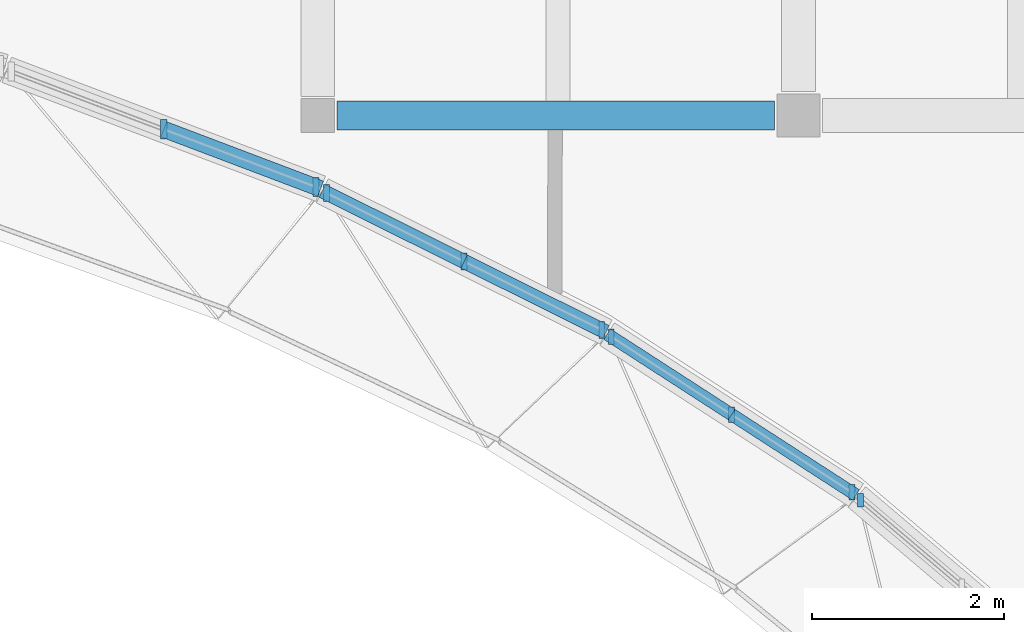
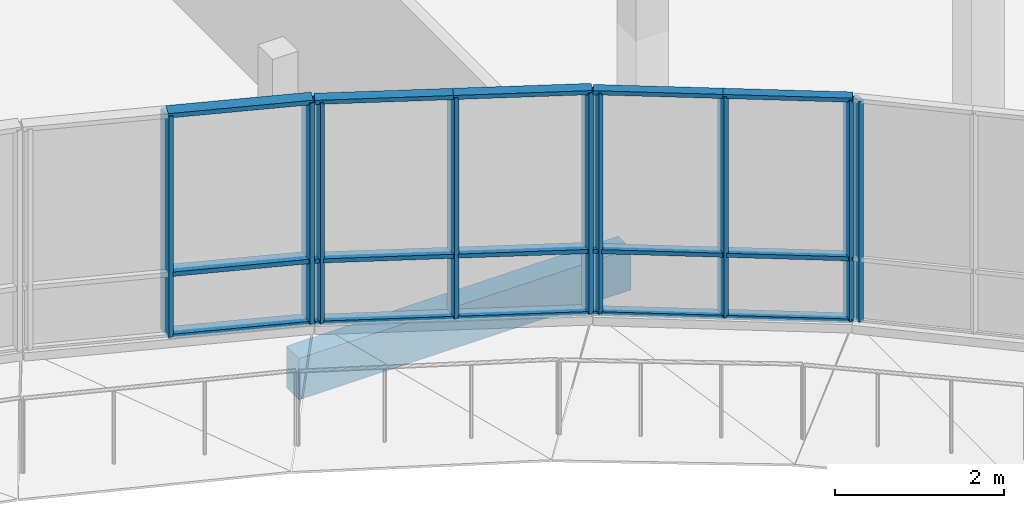
# One storey, part 24 of 73: 24 members, 1 beam, 4 elements without a shape of their own.
"""IFC4 building model written with IfcOpenShell, lengths in metres."""

from ifc_helpers import new_model, si_unit, direction, frame, origin, origin_2d, place, context, subcontext, project, spatial, rectangle, extrude, material, material_profile, profile_set, type_object, element, aggregate, save


model = new_model("IFC4")

# Units and contexts
model_context = context("Model", 3, precision=1e-05, world=origin(), true_north=direction((0.0, 1.0)))
body_context = subcontext(model_context, "Body", "Model", "MODEL_VIEW")
ifc_project = project(units=[si_unit("LENGTHUNIT", "METRE"), si_unit("AREAUNIT", "SQUARE_METRE"), si_unit("VOLUMEUNIT", "CUBIC_METRE"), si_unit("PLANEANGLEUNIT", "RADIAN"), si_unit("MASSUNIT", "GRAM", prefix="KILO")], contexts=[model_context])

# Site, building, storey
site_placement = place(None, origin())
site = spatial("IfcSite", under=ifc_project, at=site_placement, CompositionType="ELEMENT")
building_placement = place(site_placement, origin())
building = spatial("IfcBuilding", under=site, at=building_placement, Name="Mzevani Central Library", CompositionType="ELEMENT")
storey_placement = place(building_placement, frame((0.0, 0.0, 9.60009765625)))
storey = spatial("IfcBuildingStorey", under=building, at=storey_placement, Name="L02", CompositionType="ELEMENT", Elevation=9.60009765625)

# Beam
ifc_material_1 = material(Name="Concrete C35/45", Category="concrete")
ifc_material_profile_1 = material_profile(ifc_material_1, rectangle(XDim=0.300048828125, YDim=0.60009765625, at=origin_2d()), Name="RC B300x600")
ifc_profile_set_1 = profile_set([ifc_material_profile_1], Name="Concrete C35/45")
beam_type = type_object("IfcBeamType", Name="Beam RC 300x600", PredefinedType="BEAM", material=ifc_profile_set_1)
beam_placement = place(storey_placement, frame((102.60009765625, 90.39990234375, -0.580078125), z_axis=(1.0, 0.0, 0.0), x_axis=(0.0, 1.0, 0.0)))
element("IfcBeam", 1, at=beam_placement, inside=storey, type_object=beam_type, Name="L02 V3 Girder B-03 (562)", PredefinedType="BEAM", context=body_context, shape_type="SweptSolid", body=[
    extrude(rectangle(XDim=0.300048828125, YDim=0.60009765625, at=origin_2d()), origin(), (0.0, 0.0, 1.0), 4.5498046875),
])

# Curtain wall, member
ifc_material_2 = material(Name="Thermally broken aluminium and Low-E triple glazing", Category="aluminium")
curtain_wall_type_1 = type_object("IfcCurtainWallType", Name="Elliptical Court Unitised Curtain Wall", PredefinedType="NOTDEFINED", material=ifc_material_2)
curtain_wall_1_placement = place(storey_placement, origin())
curtain_wall_1 = element("IfcCurtainWall", 2, at=curtain_wall_1_placement, inside=storey, type_object=curtain_wall_type_1, Name="L02 Elliptical Court Curtain Wall 5", PredefinedType="NOTDEFINED")
ifc_material_3 = material(Name="Thermally broken aluminium AW-6060", Category="aluminium")
ifc_material_profile_2 = material_profile(ifc_material_3, rectangle(XDim=0.06005859375, YDim=0.139892578125, at=origin_2d()), Name="ALU M60x140")
ifc_profile_set_2 = profile_set([ifc_material_profile_2], Name="Thermally broken aluminium AW-6060")
member_type_1 = type_object("IfcMemberType", Name="CW Mullion 60x140", PredefinedType="MULLION", material=ifc_profile_set_2)
member_1_placement = place(storey_placement, frame((108.04443359375, 86.402099609375, 0.719970703125), z_axis=(0.0, 0.0, 1.0), x_axis=(1.0, 0.0, 0.0)))
member_1 = element("IfcMember", 3, at=member_1_placement, type_object=member_type_1, Name="L02 Elliptical Court Curtain Wall 5 Mullion 3", PredefinedType="MULLION", context=body_context, shape_type="SweptSolid", body=[
    extrude(rectangle(XDim=0.06005859375, YDim=0.139892578125, at=origin_2d()), origin(), (0.0, 0.0, 1.0), 3.199951171875),
])
aggregate(curtain_wall_1, [member_1])

# Curtain wall, members
curtain_wall_2_placement = place(storey_placement, origin())
curtain_wall_2 = element("IfcCurtainWall", 4, at=curtain_wall_2_placement, inside=storey, type_object=curtain_wall_type_1, Name="L02 Elliptical Court Curtain Wall 6", PredefinedType="NOTDEFINED")
ifc_material_profile_3 = material_profile(ifc_material_3, rectangle(XDim=0.06005859375, YDim=0.159912109375, at=origin_2d()), Name="ALU M60x160")
ifc_profile_set_3 = profile_set([ifc_material_profile_3], Name="Thermally broken aluminium AW-6060")
member_type_2 = type_object("IfcMemberType", Name="CW Mullion 60x160", PredefinedType="MULLION", material=ifc_profile_set_3)
member_2_placement = place(storey_placement, frame((107.95556640625, 86.4814453125, 0.719970703125), z_axis=(0.0, 0.0, 1.0), x_axis=(1.0, 0.0, 0.0)))
member_2 = element("IfcMember", 5, at=member_2_placement, type_object=member_type_2, Name="L02 Elliptical Court Curtain Wall 6 Mullion 1", PredefinedType="MULLION", context=body_context, shape_type="SweptSolid", body=[
    extrude(rectangle(XDim=0.06005859375, YDim=0.159912109375, at=origin_2d()), origin(), (0.0, 0.0, 1.0), 3.199951171875),
])
member_3_placement = place(storey_placement, frame((106.703857421875, 87.291015625, 0.719970703125), z_axis=(0.0, 0.0, 1.0), x_axis=(1.0, 0.0, 0.0)))
member_3 = element("IfcMember", 6, at=member_3_placement, type_object=member_type_2, Name="L02 Elliptical Court Curtain Wall 6 Mullion 2", PredefinedType="MULLION", context=body_context, shape_type="SweptSolid", body=[
    extrude(rectangle(XDim=0.06005859375, YDim=0.159912109375, at=origin_2d()), origin(), (0.0, 0.0, 1.0), 3.199951171875),
])
member_4_placement = place(storey_placement, frame((105.4521484375, 88.100341796875, 0.719970703125), z_axis=(0.0, 0.0, 1.0), x_axis=(1.0, 0.0, 0.0)))
member_4 = element("IfcMember", 7, at=member_4_placement, type_object=member_type_2, Name="L02 Elliptical Court Curtain Wall 6 Mullion 3", PredefinedType="MULLION", context=body_context, shape_type="SweptSolid", body=[
    extrude(rectangle(XDim=0.06005859375, YDim=0.159912109375, at=origin_2d()), origin(), (0.0, 0.0, 1.0), 3.199951171875),
])

curtain_wall_type_2 = type_object("IfcCurtainWallType", Name="Reading Hall Northlight Curtain Wall", PredefinedType="NOTDEFINED", material=ifc_material_2)
curtain_wall_3_placement = place(storey_placement, origin())
curtain_wall_3 = element("IfcCurtainWall", 8, at=curtain_wall_3_placement, inside=storey, type_object=curtain_wall_type_2, Name="L02 Elliptical Court Curtain Wall 7", PredefinedType="NOTDEFINED")
ifc_material_profile_4 = material_profile(ifc_material_3, rectangle(XDim=0.06005859375, YDim=0.179931640625, at=origin_2d()), Name="ALU M60x180")
ifc_profile_set_4 = profile_set([ifc_material_profile_4], Name="Thermally broken aluminium AW-6060")
member_type_3 = type_object("IfcMemberType", Name="CW Mullion 60x180", PredefinedType="MULLION", material=ifc_profile_set_4)
member_5_placement = place(storey_placement, frame((105.35302734375, 88.171142578125, 0.719970703125), z_axis=(0.0, 0.0, 1.0), x_axis=(1.0, 0.0, 0.0)))
member_5 = element("IfcMember", 9, at=member_5_placement, type_object=member_type_3, Name="L02 Elliptical Court Curtain Wall 7 Mullion 1", PredefinedType="MULLION", context=body_context, shape_type="SweptSolid", body=[
    extrude(rectangle(XDim=0.06005859375, YDim=0.179931640625, at=origin_2d()), origin(), (0.0, 0.0, 1.0), 3.199951171875),
])
member_6_placement = place(storey_placement, frame((103.9228515625, 88.882568359375, 0.719970703125), z_axis=(0.0, 0.0, 1.0), x_axis=(1.0, 0.0, 0.0)))
member_6 = element("IfcMember", 10, at=member_6_placement, type_object=member_type_3, Name="L02 Elliptical Court Curtain Wall 7 Mullion 2", PredefinedType="MULLION", context=body_context, shape_type="SweptSolid", body=[
    extrude(rectangle(XDim=0.06005859375, YDim=0.179931640625, at=origin_2d()), origin(), (0.0, 0.0, 1.0), 3.199951171875),
])
member_7_placement = place(storey_placement, frame((102.492431640625, 89.593994140625, 0.719970703125), z_axis=(0.0, 0.0, 1.0), x_axis=(1.0, 0.0, 0.0)))
member_7 = element("IfcMember", 11, at=member_7_placement, type_object=member_type_3, Name="L02 Elliptical Court Curtain Wall 7 Mullion 3", PredefinedType="MULLION", context=body_context, shape_type="SweptSolid", body=[
    extrude(rectangle(XDim=0.06005859375, YDim=0.179931640625, at=origin_2d()), origin(), (0.0, 0.0, 1.0), 3.199951171875),
])

curtain_wall_4_placement = place(storey_placement, origin())
curtain_wall_4 = element("IfcCurtainWall", 12, at=curtain_wall_4_placement, inside=storey, type_object=curtain_wall_type_1, Name="L02 Elliptical Court Curtain Wall 8", PredefinedType="NOTDEFINED")
ifc_material_profile_5 = material_profile(ifc_material_3, rectangle(XDim=0.06494140625, YDim=0.199951171875, at=origin_2d()), Name="ALU M65x200")
ifc_profile_set_5 = profile_set([ifc_material_profile_5], Name="Thermally broken aluminium AW-6060")
member_type_4 = type_object("IfcMemberType", Name="CW Mullion 65x200", PredefinedType="MULLION", material=ifc_profile_set_5)
member_8_placement = place(storey_placement, frame((102.3837890625, 89.65673828125, 0.719970703125), z_axis=(0.0, 0.0, 1.0), x_axis=(1.0, 0.0, 0.0)))
member_8 = element("IfcMember", 13, at=member_8_placement, type_object=member_type_4, Name="L02 Elliptical Court Curtain Wall 8 Mullion 1", PredefinedType="MULLION", context=body_context, shape_type="SweptSolid", body=[
    extrude(rectangle(XDim=0.06494140625, YDim=0.199951171875, at=origin_2d()), origin(), (0.0, 0.0, 1.0), 3.199951171875),
])
member_9_placement = place(storey_placement, frame((100.799072265625, 90.25732421875, 0.719970703125), z_axis=(0.0, 0.0, 1.0), x_axis=(1.0, 0.0, 0.0)))
member_9 = element("IfcMember", 14, at=member_9_placement, type_object=member_type_4, Name="L02 Elliptical Court Curtain Wall 8 Mullion 2", PredefinedType="MULLION", context=body_context, shape_type="SweptSolid", body=[
    extrude(rectangle(XDim=0.06494140625, YDim=0.199951171875, at=origin_2d()), origin(), (0.0, 0.0, 1.0), 3.199951171875),
])

# Member
ifc_material_profile_6 = material_profile(ifc_material_3, rectangle(XDim=0.1298828125, YDim=0.06005859375, at=origin_2d()), Name="ALU T60x130")
ifc_profile_set_6 = profile_set([ifc_material_profile_6], Name="Thermally broken aluminium AW-6060")
member_type_5 = type_object("IfcMemberType", Name="CW Transom 60x130", PredefinedType="USERDEFINED", material=ifc_profile_set_6)
member_10_placement = place(storey_placement, frame((107.99755859375, 86.454345703125, 0.719970703125), z_axis=(-0.839697677744, 0.543054150147, 0.0), x_axis=(-0.543054150147, -0.839697677744, 0.0)))
member_10 = element("IfcMember", 15, at=member_10_placement, type_object=member_type_5, Name="L02 Elliptical Court Curtain Wall 6 Transom 1", ObjectType="TRANSOM", PredefinedType="USERDEFINED", context=body_context, shape_type="SweptSolid", body=[
    extrude(rectangle(XDim=0.1298828125, YDim=0.06005859375, at=origin_2d()), origin(), (0.0, 0.0, 1.0), 1.540771484375),
])

member_11_placement = place(storey_placement, frame((107.99755859375, 86.454345703125, 1.619873046875), z_axis=(-0.839697677744, 0.543054150147, 0.0), x_axis=(-0.543054150147, -0.839697677744, 0.0)))
member_11 = element("IfcMember", 16, at=member_11_placement, type_object=member_type_5, Name="L02 Elliptical Court Curtain Wall 6 Transom 2", ObjectType="TRANSOM", PredefinedType="USERDEFINED", context=body_context, shape_type="SweptSolid", body=[
    extrude(rectangle(XDim=0.1298828125, YDim=0.06005859375, at=origin_2d()), origin(), (0.0, 0.0, 1.0), 1.540771484375),
])

member_12_placement = place(storey_placement, frame((107.99755859375, 86.454345703125, 3.919921875), z_axis=(-0.839697677744, 0.543054150147, 0.0), x_axis=(-0.543054150147, -0.839697677744, 0.0)))
member_12 = element("IfcMember", 17, at=member_12_placement, type_object=member_type_5, Name="L02 Elliptical Court Curtain Wall 6 Transom 3", ObjectType="TRANSOM", PredefinedType="USERDEFINED", context=body_context, shape_type="SweptSolid", body=[
    extrude(rectangle(XDim=0.1298828125, YDim=0.06005859375, at=origin_2d()), origin(), (0.0, 0.0, 1.0), 1.540771484375),
])

member_13_placement = place(storey_placement, frame((106.703857421875, 87.291015625, 0.719970703125), z_axis=(-0.839769936055, 0.542942404402, 0.0), x_axis=(-0.542942404402, -0.839769936055, 0.0)))
member_13 = element("IfcMember", 18, at=member_13_placement, type_object=member_type_5, Name="L02 Elliptical Court Curtain Wall 6 Transom 4", ObjectType="TRANSOM", PredefinedType="USERDEFINED", context=body_context, shape_type="SweptSolid", body=[
    extrude(rectangle(XDim=0.1298828125, YDim=0.06005859375, at=origin_2d()), origin(), (0.0, 0.0, 1.0), 1.54052734375),
])

member_14_placement = place(storey_placement, frame((106.703857421875, 87.291015625, 1.619873046875), z_axis=(-0.839769936055, 0.542942404402, 0.0), x_axis=(-0.542942404402, -0.839769936055, 0.0)))
member_14 = element("IfcMember", 19, at=member_14_placement, type_object=member_type_5, Name="L02 Elliptical Court Curtain Wall 6 Transom 5", ObjectType="TRANSOM", PredefinedType="USERDEFINED", context=body_context, shape_type="SweptSolid", body=[
    extrude(rectangle(XDim=0.1298828125, YDim=0.06005859375, at=origin_2d()), origin(), (0.0, 0.0, 1.0), 1.54052734375),
])

member_15_placement = place(storey_placement, frame((106.703857421875, 87.291015625, 3.919921875), z_axis=(-0.839769936055, 0.542942404402, 0.0), x_axis=(-0.542942404402, -0.839769936055, 0.0)))
member_15 = element("IfcMember", 20, at=member_15_placement, type_object=member_type_5, Name="L02 Elliptical Court Curtain Wall 6 Transom 6", ObjectType="TRANSOM", PredefinedType="USERDEFINED", context=body_context, shape_type="SweptSolid", body=[
    extrude(rectangle(XDim=0.1298828125, YDim=0.06005859375, at=origin_2d()), origin(), (0.0, 0.0, 1.0), 1.54052734375),
])

aggregate(curtain_wall_2, [member_2, member_3, member_4, member_10, member_11, member_12, member_13, member_14, member_15])

ifc_material_profile_7 = material_profile(ifc_material_3, rectangle(XDim=0.14990234375, YDim=0.06005859375, at=origin_2d()), Name="ALU T60x150")
ifc_profile_set_7 = profile_set([ifc_material_profile_7], Name="Thermally broken aluminium AW-6060")
member_type_6 = type_object("IfcMemberType", Name="CW Transom 60x150", PredefinedType="USERDEFINED", material=ifc_profile_set_7)
member_16_placement = place(storey_placement, frame((105.39794921875, 88.14892578125, 0.719970703125), z_axis=(-0.895373605823, 0.445315737421, 0.0), x_axis=(-0.445315737421, -0.895373605823, 0.0)))
member_16 = element("IfcMember", 21, at=member_16_placement, type_object=member_type_6, Name="L02 Elliptical Court Curtain Wall 7 Transom 1", ObjectType="TRANSOM", PredefinedType="USERDEFINED", context=body_context, shape_type="SweptSolid", body=[
    extrude(rectangle(XDim=0.14990234375, YDim=0.06005859375, at=origin_2d()), origin(), (0.0, 0.0, 1.0), 1.6474609375),
])

member_17_placement = place(storey_placement, frame((105.39794921875, 88.14892578125, 1.619873046875), z_axis=(-0.895373605823, 0.445315737421, 0.0), x_axis=(-0.445315737421, -0.895373605823, 0.0)))
member_17 = element("IfcMember", 22, at=member_17_placement, type_object=member_type_6, Name="L02 Elliptical Court Curtain Wall 7 Transom 2", ObjectType="TRANSOM", PredefinedType="USERDEFINED", context=body_context, shape_type="SweptSolid", body=[
    extrude(rectangle(XDim=0.14990234375, YDim=0.06005859375, at=origin_2d()), origin(), (0.0, 0.0, 1.0), 1.6474609375),
])

member_18_placement = place(storey_placement, frame((105.39794921875, 88.14892578125, 3.919921875), z_axis=(-0.895373605823, 0.445315737421, 0.0), x_axis=(-0.445315737421, -0.895373605823, 0.0)))
member_18 = element("IfcMember", 23, at=member_18_placement, type_object=member_type_6, Name="L02 Elliptical Court Curtain Wall 7 Transom 3", ObjectType="TRANSOM", PredefinedType="USERDEFINED", context=body_context, shape_type="SweptSolid", body=[
    extrude(rectangle(XDim=0.14990234375, YDim=0.06005859375, at=origin_2d()), origin(), (0.0, 0.0, 1.0), 1.6474609375),
])

member_19_placement = place(storey_placement, frame((103.9228515625, 88.882568359375, 0.719970703125), z_axis=(-0.895402987273, 0.445256656753, 0.0), x_axis=(-0.445256656753, -0.895402987273, 0.0)))
member_19 = element("IfcMember", 24, at=member_19_placement, type_object=member_type_6, Name="L02 Elliptical Court Curtain Wall 7 Transom 4", ObjectType="TRANSOM", PredefinedType="USERDEFINED", context=body_context, shape_type="SweptSolid", body=[
    extrude(rectangle(XDim=0.14990234375, YDim=0.06005859375, at=origin_2d()), origin(), (0.0, 0.0, 1.0), 1.647705078125),
])

member_20_placement = place(storey_placement, frame((103.9228515625, 88.882568359375, 1.619873046875), z_axis=(-0.895402987273, 0.445256656753, 0.0), x_axis=(-0.445256656753, -0.895402987273, 0.0)))
member_20 = element("IfcMember", 25, at=member_20_placement, type_object=member_type_6, Name="L02 Elliptical Court Curtain Wall 7 Transom 5", ObjectType="TRANSOM", PredefinedType="USERDEFINED", context=body_context, shape_type="SweptSolid", body=[
    extrude(rectangle(XDim=0.14990234375, YDim=0.06005859375, at=origin_2d()), origin(), (0.0, 0.0, 1.0), 1.647705078125),
])

member_21_placement = place(storey_placement, frame((103.9228515625, 88.882568359375, 3.919921875), z_axis=(-0.895402987273, 0.445256656753, 0.0), x_axis=(-0.445256656753, -0.895402987273, 0.0)))
member_21 = element("IfcMember", 26, at=member_21_placement, type_object=member_type_6, Name="L02 Elliptical Court Curtain Wall 7 Transom 6", ObjectType="TRANSOM", PredefinedType="USERDEFINED", context=body_context, shape_type="SweptSolid", body=[
    extrude(rectangle(XDim=0.14990234375, YDim=0.06005859375, at=origin_2d()), origin(), (0.0, 0.0, 1.0), 1.647705078125),
])

aggregate(curtain_wall_3, [member_5, member_6, member_7, member_16, member_17, member_18, member_19, member_20, member_21])

ifc_material_profile_8 = material_profile(ifc_material_3, rectangle(XDim=0.169921875, YDim=0.06494140625, at=origin_2d()), Name="ALU T65x170")
ifc_profile_set_8 = profile_set([ifc_material_profile_8], Name="Thermally broken aluminium AW-6060")
member_type_7 = type_object("IfcMemberType", Name="CW Transom 65x170", PredefinedType="USERDEFINED", material=ifc_profile_set_8)
member_22_placement = place(storey_placement, frame((102.4306640625, 89.63916015625, 0.719970703125), z_axis=(-0.935133457498, 0.354295662784, 0.0), x_axis=(-0.354295662784, -0.935133457498, 0.0)))
member_22 = element("IfcMember", 27, at=member_22_placement, type_object=member_type_7, Name="L02 Elliptical Court Curtain Wall 8 Transom 1", ObjectType="TRANSOM", PredefinedType="USERDEFINED", context=body_context, shape_type="SweptSolid", body=[
    extrude(rectangle(XDim=0.169921875, YDim=0.06494140625, at=origin_2d()), origin(), (0.0, 0.0, 1.0), 1.744873046875),
])

member_23_placement = place(storey_placement, frame((102.4306640625, 89.63916015625, 1.619873046875), z_axis=(-0.935133457498, 0.354295662784, 0.0), x_axis=(-0.354295662784, -0.935133457498, 0.0)))
member_23 = element("IfcMember", 28, at=member_23_placement, type_object=member_type_7, Name="L02 Elliptical Court Curtain Wall 8 Transom 2", ObjectType="TRANSOM", PredefinedType="USERDEFINED", context=body_context, shape_type="SweptSolid", body=[
    extrude(rectangle(XDim=0.169921875, YDim=0.06494140625, at=origin_2d()), origin(), (0.0, 0.0, 1.0), 1.744873046875),
])

member_24_placement = place(storey_placement, frame((102.4306640625, 89.63916015625, 3.919921875), z_axis=(-0.935133457498, 0.354295662784, 0.0), x_axis=(-0.354295662784, -0.935133457498, 0.0)))
member_24 = element("IfcMember", 29, at=member_24_placement, type_object=member_type_7, Name="L02 Elliptical Court Curtain Wall 8 Transom 3", ObjectType="TRANSOM", PredefinedType="USERDEFINED", context=body_context, shape_type="SweptSolid", body=[
    extrude(rectangle(XDim=0.169921875, YDim=0.06494140625, at=origin_2d()), origin(), (0.0, 0.0, 1.0), 1.744873046875),
])

aggregate(curtain_wall_4, [member_8, member_9, member_22, member_23, member_24])

save(model, "model.ifc")
